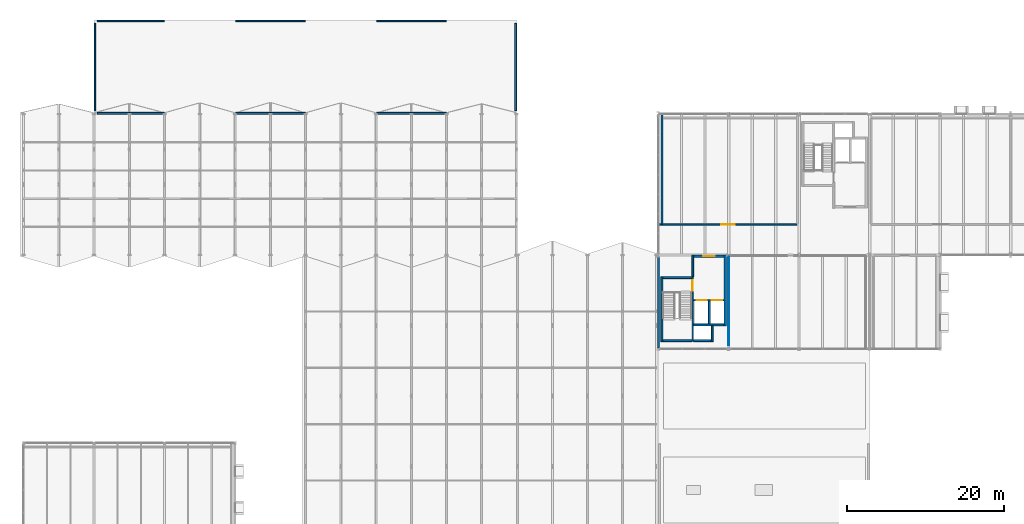
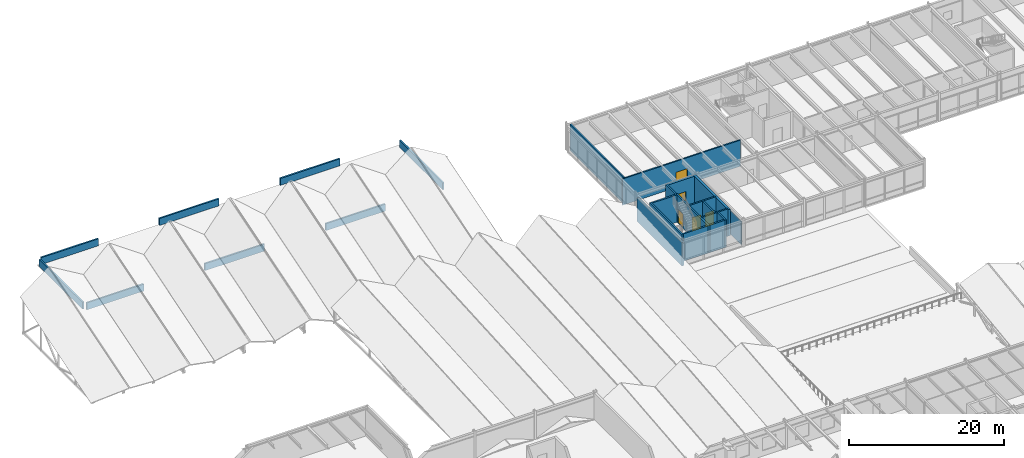
# One storey, part 135 of 142: 24 walls, 5 doors, 5 openings.
"""IFC4 building model written with IfcOpenShell, lengths in metres."""

from ifc_helpers import new_model, si_unit, direction, frame, frame_2d, origin, place, context, subcontext, project, spatial, rectangle, extrude, material, layer, layer_set, type_object, element, fill, save


model = new_model("IFC4")

# Units and contexts
model_context = context("Model", 3, precision=1e-05, world=origin(), true_north=direction((0.0, 1.0)))
body_context = subcontext(model_context, "Body", "Model", "MODEL_VIEW")
ifc_project = project(units=[si_unit("LENGTHUNIT", "METRE"), si_unit("AREAUNIT", "SQUARE_METRE"), si_unit("VOLUMEUNIT", "CUBIC_METRE"), si_unit("PLANEANGLEUNIT", "RADIAN"), si_unit("MASSUNIT", "GRAM", prefix="KILO")], contexts=[model_context])

# Site, building, storey
site_placement = place(None, origin())
site = spatial("IfcSite", under=ifc_project, at=site_placement, CompositionType="ELEMENT")
building_placement = place(site_placement, origin())
building = spatial("IfcBuilding", under=site, at=building_placement, Name="Montelvaro Courts of Justice", CompositionType="ELEMENT")
storey_placement = place(building_placement, frame((0.0, 0.0, 14.39990234375)))
storey = spatial("IfcBuildingStorey", under=building, at=storey_placement, Name="L03", CompositionType="ELEMENT", Elevation=14.39990234375)

# Wall, opening, door
ifc_material_1 = material(Name="Concrete C40/50", Category="concrete")
ifc_layer_1 = layer(ifc_material_1, 0.320068359375)
ifc_layer_set_1 = layer_set([ifc_layer_1], Name="Concrete C40/50")
wall_type_1 = type_object("IfcWallType", Name="CoreWall_320", PredefinedType="SHEAR", material=ifc_layer_set_1)
wall_1_placement = place(storey_placement, frame((103.5400390625, 77.840087890625, 0.0), z_axis=(0.0, 0.0, 1.0), x_axis=(1.0, 0.0, 0.0)))
wall_1 = element("IfcWall", 1, at=wall_1_placement, inside=storey, type_object=wall_type_1, Name="Core Shear Wall CW-02 K4-N (L03)", PredefinedType="SHEAR", context=body_context, shape_type="SweptSolid", body=[
    extrude(rectangle(XDim=3.89990234375, YDim=0.320068359375, at=frame_2d((1.949951171875, 0.0))), origin(), (0.0, 0.0, 1.0), 4.16015625),
])
opening_1_placement = place(wall_1_placement, frame((1.22509765625, 0.0, 0.0)))
opening_1 = element("IfcOpeningElement", 2, at=opening_1_placement, cuts=wall_1, Name="Opening DL-L03-K4", PredefinedType="OPENING", context=body_context, shape_type="SweptSolid", body=[
    extrude(rectangle(XDim=1.449951171875, YDim=2.199951171875, at=frame_2d((0.72509765625, 1.10009765625))), frame((0.0, 0.1748046875, 0.0), z_axis=(0.0, -1.0, 0.0), x_axis=(1.0, 0.0, 0.0)), (0.0, 0.0, 1.0), 0.349853515625),
])
ifc_material_2 = material(Name="Galvanised steel S355 security door", Category="steel")
door_type_1 = type_object("IfcDoorType", Name="LobbyFireDoor_145x220", OperationType="DOUBLE_DOOR_SINGLE_SWING", PredefinedType="DOOR", material=ifc_material_2)
door_1_placement = place(opening_1_placement, origin())
door_1 = element("IfcDoor", 3, at=door_1_placement, inside=storey, type_object=door_type_1, Name="Core Lobby Fire Door DL-L03-K4", OperationType="DOUBLE_DOOR_SINGLE_SWING", OverallHeight=2.199951171875, OverallWidth=1.449951171875, PredefinedType="DOOR", context=body_context, shape_type="SweptSolid", body=[
    extrude(rectangle(XDim=1.449951171875, YDim=2.199951171875, at=frame_2d((0.72509765625, 1.10009765625))), frame((0.0, 0.02490234375, 0.0), z_axis=(0.0, -1.0, 0.0), x_axis=(1.0, 0.0, 0.0)), (0.0, 0.0, 1.0), 0.050048828125),
])
fill(opening_1, door_1)

# Wall
wall_2_placement = place(storey_placement, frame((107.60009765625, 68.9599609375, 0.0), z_axis=(0.0, 0.0, 1.0), x_axis=(0.0, 1.0, 0.0)))
element("IfcWall", 4, at=wall_2_placement, inside=storey, type_object=wall_type_1, Name="Core Shear Wall CW-02 K4-E (L03)", PredefinedType="SHEAR", context=body_context, shape_type="SweptSolid", body=[
    extrude(rectangle(XDim=9.0400390625, YDim=0.320068359375, at=frame_2d((4.52001953125, 0.0))), origin(), (0.0, 0.0, 1.0), 4.16015625),
])

# Wall, opening, door
ifc_material_3 = material(Name="Gypsum acoustic double stud with mineral wool")
ifc_layer_2 = layer(ifc_material_3, 0.199951171875)
ifc_layer_set_2 = layer_set([ifc_layer_2], Name="Gypsum acoustic double stud with mineral wool")
wall_type_2 = type_object("IfcWallType", Name="CourtAcousticWall_200", PredefinedType="PARTITIONING", material=ifc_layer_set_2)
wall_3_placement = place(storey_placement, frame((116.719970703125, 81.89990234375, 0.0), z_axis=(0.0, 0.0, 1.0), x_axis=(-1.0, 0.0, 0.0)))
wall_3 = element("IfcWall", 5, at=wall_3_placement, inside=storey, type_object=wall_type_2, Name="Interior Partition IW-01 (L03)", PredefinedType="PARTITIONING", context=body_context, shape_type="SweptSolid", body=[
    extrude(rectangle(XDim=17.594970703125, YDim=0.199951171875, at=frame_2d((8.79736328125, 0.0))), origin(), (0.0, 0.0, 1.0), 4.14013671875),
])
opening_2_placement = place(wall_3_placement, frame((7.947021484375, 0.0, 0.0)))
opening_2 = element("IfcOpeningElement", 6, at=opening_2_placement, cuts=wall_3, Name="Opening D-L03-109", PredefinedType="OPENING", context=body_context, shape_type="SweptSolid", body=[
    extrude(rectangle(XDim=1.699951171875, YDim=2.39990234375, at=frame_2d((0.85009765625, 1.199951171875))), frame((0.0, 0.11474609375, 0.0), z_axis=(0.0, -1.0, 0.0), x_axis=(1.0, 0.0, 0.0)), (0.0, 0.0, 1.0), 0.229736328125),
])
ifc_material_4 = material(Name="Acoustic oak timber veneer", Category="wood")
door_type_2 = type_object("IfcDoorType", Name="CourtDoor_170x240", OperationType="DOUBLE_DOOR_SINGLE_SWING", PredefinedType="DOOR", material=ifc_material_4)
door_2_placement = place(opening_2_placement, frame((1.699951171875, 0.0, 0.0), z_axis=(0.0, 0.0, 1.0), x_axis=(-1.0, 0.0, 0.0)))
door_2 = element("IfcDoor", 7, at=door_2_placement, inside=storey, type_object=door_type_2, Name="Interior Door D-L03-109 (Family Courtroom 12)", OperationType="DOUBLE_DOOR_SINGLE_SWING", OverallHeight=2.39990234375, OverallWidth=1.699951171875, PredefinedType="DOOR", context=body_context, shape_type="SweptSolid", body=[
    extrude(rectangle(XDim=1.699951171875, YDim=2.39990234375, at=frame_2d((0.85009765625, 1.199951171875))), frame((0.0, 0.02490234375, 0.0), z_axis=(0.0, -1.0, 0.0), x_axis=(1.0, 0.0, 0.0)), (0.0, 0.0, 1.0), 0.050048828125),
])
fill(opening_2, door_2)

# Walls
wall_4_placement = place(storey_placement, frame((99.5, 81.97998046875, 0.0), z_axis=(0.0, 0.0, 1.0), x_axis=(0.0, 1.0, 0.0)))
element("IfcWall", 8, at=wall_4_placement, inside=storey, type_object=wall_type_2, Name="Interior Partition IW-01 (L03)", PredefinedType="PARTITIONING", context=body_context, shape_type="SweptSolid", body=[
    extrude(rectangle(XDim=13.945068359375, YDim=0.199951171875, at=frame_2d((6.97265625, 0.0))), origin(), (0.0, 0.0, 1.0), 4.14013671875),
])
ifc_material_5 = material(Name="White mineral precast concrete C45/55", Category="concrete")
ifc_layer_3 = layer(ifc_material_5, 0.300048828125)
ifc_layer_set_3 = layer_set([ifc_layer_3], Name="White mineral precast concrete C45/55")
wall_type_3 = type_object("IfcWallType", Name="ExtWall_GFRC_300", PredefinedType="SOLIDWALL", material=ifc_layer_set_3)
wall_5_placement = place(storey_placement, frame((99.050048828125, 77.72705078125, 0.0), z_axis=(0.0, 0.0, 1.0), x_axis=(0.0, -1.0, 0.0)))
element("IfcWall", 9, at=wall_5_placement, inside=storey, type_object=wall_type_3, Name="Exterior Facade Wall EW-02 (L03)", PredefinedType="SOLIDWALL", context=body_context, shape_type="SweptSolid", body=[
    extrude(rectangle(XDim=11.59912109375, YDim=0.300048828125, at=frame_2d((5.799560546875, 0.0))), origin(), (0.0, 0.0, 1.0), 3.705078125),
])
ifc_material_6 = material(Name="Gypsum board on metal stud")
ifc_layer_4 = layer(ifc_material_6, 0.1201171875)
ifc_layer_set_4 = layer_set([ifc_layer_4], Name="Gypsum board on metal stud")
wall_type_4 = type_object("IfcWallType", Name="OfficePartition_120", PredefinedType="PARTITIONING", material=ifc_layer_set_4)
wall_6_placement = place(storey_placement, frame((108.0, 66.47998046875, 0.0), z_axis=(0.0, 0.0, 1.0), x_axis=(0.0, 1.0, 0.0)))
element("IfcWall", 10, at=wall_6_placement, inside=storey, type_object=wall_type_4, Name="Interior Partition IW-05 (L03)", PredefinedType="PARTITIONING", context=body_context, shape_type="SweptSolid", body=[
    extrude(rectangle(XDim=11.340087890625, YDim=0.1201171875, at=frame_2d((5.669921875, 0.0))), origin(), (0.0, 0.0, 1.0), 3.64501953125),
])
ifc_layer_5 = layer(ifc_material_5, 0.239990234375)
ifc_layer_set_5 = layer_set([ifc_layer_5], Name="White mineral precast concrete C45/55")
wall_type_5 = type_object("IfcWallType", Name="ParapetWall_240", PredefinedType="PARAPET", material=ifc_layer_set_5)
wall_7_placement = place(storey_placement, frame((27.419921875, 107.8798828125, 0.0), z_axis=(0.0, 0.0, 1.0), x_axis=(1.0, 0.0, 0.0)))
element("IfcWall", 11, at=wall_7_placement, inside=storey, type_object=wall_type_5, Name="Roof Parapet PW-01 L03-028", PredefinedType="PARAPET", context=body_context, shape_type="SweptSolid", body=[
    extrude(rectangle(XDim=8.52001953125, YDim=0.239990234375, at=frame_2d((4.260009765625, 0.0))), origin(), (0.0, 0.0, 1.0), 1.10009765625),
])
for number, where, z_axis, x_axis, name in (
    (12, (45.06005859375, 107.8798828125, 0.0), (0.0, 0.0, 1.0), (1.0, 0.0, 0.0), "Roof Parapet PW-01 L03-029"),
    (13, (63.06005859375, 107.8798828125, 0.0), (0.0, 0.0, 1.0), (1.0, 0.0, 0.0), "Roof Parapet PW-01 L03-030"),
):
    element("IfcWall", number, at=place(storey_placement, frame(where, z_axis=z_axis, x_axis=x_axis)), inside=storey, type_object=wall_type_5, Name=name, PredefinedType="PARAPET", context=body_context, shape_type="SweptSolid", body=[
        extrude(rectangle(XDim=8.8798828125, YDim=0.239990234375, at=frame_2d((4.43994140625, 0.0))), origin(), (0.0, 0.0, 1.0), 1.10009765625),
    ])
wall_8_placement = place(storey_placement, frame((27.1201171875, 96.419921875, 0.0), z_axis=(0.0, 0.0, 1.0), x_axis=(0.0, 1.0, 0.0)))
element("IfcWall", 14, at=wall_8_placement, inside=storey, type_object=wall_type_5, Name="Roof Parapet PW-01 L03-031", PredefinedType="PARAPET", context=body_context, shape_type="SweptSolid", body=[
    extrude(rectangle(XDim=11.16015625, YDim=0.239990234375, at=frame_2d((5.580078125, 0.0))), origin(), (0.0, 0.0, 1.0), 1.10009765625),
])
wall_9_placement = place(storey_placement, frame((27.419921875, 96.1201171875, 0.0), z_axis=(0.0, 0.0, 1.0), x_axis=(1.0, 0.0, 0.0)))
element("IfcWall", 15, at=wall_9_placement, inside=storey, type_object=wall_type_5, Name="Roof Parapet PW-01 L03-032", PredefinedType="PARAPET", context=body_context, shape_type="SweptSolid", body=[
    extrude(rectangle(XDim=8.52001953125, YDim=0.239990234375, at=frame_2d((4.260009765625, 0.0))), origin(), (0.0, 0.0, 1.0), 1.10009765625),
])
for number, where, z_axis, x_axis, name in (
    (16, (45.06005859375, 96.1201171875, 0.0), (0.0, 0.0, 1.0), (1.0, 0.0, 0.0), "Roof Parapet PW-01 L03-033"),
    (17, (63.06005859375, 96.1201171875, 0.0), (0.0, 0.0, 1.0), (1.0, 0.0, 0.0), "Roof Parapet PW-01 L03-034"),
):
    element("IfcWall", number, at=place(storey_placement, frame(where, z_axis=z_axis, x_axis=x_axis)), inside=storey, type_object=wall_type_5, Name=name, PredefinedType="PARAPET", context=body_context, shape_type="SweptSolid", body=[
        extrude(rectangle(XDim=8.8798828125, YDim=0.239990234375, at=frame_2d((4.43994140625, 0.0))), origin(), (0.0, 0.0, 1.0), 1.10009765625),
    ])
wall_10_placement = place(storey_placement, frame((80.830078125, 96.419921875, 0.0), z_axis=(0.0, 0.0, 1.0), x_axis=(0.0, 1.0, 0.0)))
element("IfcWall", 18, at=wall_10_placement, inside=storey, type_object=wall_type_5, Name="Roof Parapet PW-01 L03-035", PredefinedType="PARAPET", context=body_context, shape_type="SweptSolid", body=[
    extrude(rectangle(XDim=11.16015625, YDim=0.239990234375, at=frame_2d((5.580078125, 0.0))), origin(), (0.0, 0.0, 1.0), 1.10009765625),
])
ifc_material_7 = material(Name="Concrete C35/45", Category="concrete")
ifc_layer_6 = layer(ifc_material_7, 0.239990234375)
ifc_layer_set_6 = layer_set([ifc_layer_6], Name="Concrete C35/45")
wall_type_6 = type_object("IfcWallType", Name="ShaftWall_240", PredefinedType="SHEAR", material=ifc_layer_set_6)
wall_11_placement = place(storey_placement, frame((99.47998046875, 66.9599609375, 0.0), z_axis=(0.0, 0.0, 1.0), x_axis=(0.0, 1.0, 0.0)))
element("IfcWall", 19, at=wall_11_placement, inside=storey, type_object=wall_type_6, Name="Protected Stair Structural Wall ST-K4-W (L03)", PredefinedType="SHEAR", context=body_context, shape_type="SweptSolid", body=[
    extrude(rectangle(XDim=8.280029296875, YDim=0.239990234375, at=frame_2d((4.14013671875, 0.0))), origin(), (0.0, 0.0, 1.0), 4.31005859375),
])

# Wall, opening, door
wall_12_placement = place(storey_placement, frame((103.419921875, 66.9599609375, 0.0), z_axis=(0.0, 0.0, 1.0), x_axis=(0.0, 1.0, 0.0)))
wall_12 = element("IfcWall", 20, at=wall_12_placement, inside=storey, type_object=wall_type_6, Name="Protected Stair Structural Wall ST-K4-E (L03)", PredefinedType="SHEAR", context=body_context, shape_type="SweptSolid", body=[
    extrude(rectangle(XDim=8.280029296875, YDim=0.239990234375, at=frame_2d((4.14013671875, 0.0))), origin(), (0.0, 0.0, 1.0), 4.31005859375),
])
opening_3_placement = place(wall_12_placement, frame((6.489990234375, 0.0, 0.0)))
opening_3 = element("IfcOpeningElement", 21, at=opening_3_placement, cuts=wall_12, Name="Opening DS-L03-K4", PredefinedType="OPENING", context=body_context, shape_type="SweptSolid", body=[
    extrude(rectangle(XDim=1.300048828125, YDim=2.199951171875, at=frame_2d((0.64990234375, 1.10009765625))), frame((0.0, 0.134765625, 0.0), z_axis=(0.0, -1.0, 0.0), x_axis=(1.0, 0.0, 0.0)), (0.0, 0.0, 1.0), 0.269775390625),
])
door_type_3 = type_object("IfcDoorType", Name="StairFireDoor_130x220", OperationType="NOTDEFINED", PredefinedType="DOOR", material=ifc_material_2)
door_3_placement = place(opening_3_placement, frame((1.300048828125, 0.0, 0.0), z_axis=(0.0, 0.0, 1.0), x_axis=(-1.0, 0.0, 0.0)))
door_3 = element("IfcDoor", 22, at=door_3_placement, inside=storey, type_object=door_type_3, Name="Protected Stair Fire Door DS-L03-K4", OperationType="SINGLE_SWING_RIGHT", OverallHeight=2.199951171875, OverallWidth=1.300048828125, PredefinedType="DOOR", context=body_context, shape_type="SweptSolid", body=[
    extrude(rectangle(XDim=1.300048828125, YDim=2.199951171875, at=frame_2d((0.64990234375, 1.10009765625))), frame((0.0, 0.02490234375, 0.0), z_axis=(0.0, -1.0, 0.0), x_axis=(1.0, 0.0, 0.0)), (0.0, 0.0, 1.0), 0.050048828125),
])
fill(opening_3, door_3)

# Walls
for number, where, z_axis, x_axis, name in (
    (23, (99.60009765625, 67.080078125, 0.0), (0.0, 0.0, 1.0), (1.0, 0.0, 0.0), "Protected Stair Structural Wall ST-K4-S (L03)"),
    (24, (99.60009765625, 75.1201171875, 0.0), (0.0, 0.0, 1.0), (1.0, 0.0, 0.0), "Protected Stair Structural Wall ST-K4-N (L03)"),
):
    element("IfcWall", number, at=place(storey_placement, frame(where, z_axis=z_axis, x_axis=x_axis)), inside=storey, type_object=wall_type_6, Name=name, PredefinedType="SHEAR", context=body_context, shape_type="SweptSolid", body=[
        extrude(rectangle(XDim=3.699951171875, YDim=0.239990234375, at=frame_2d((1.85009765625, 0.0))), origin(), (0.0, 0.0, 1.0), 4.31005859375),
    ])
wall_13_placement = place(storey_placement, frame((103.419921875, 75.239990234375, 0.0), z_axis=(0.0, 0.0, 1.0), x_axis=(0.0, 1.0, 0.0)))
element("IfcWall", 25, at=wall_13_placement, inside=storey, type_object=wall_type_6, Name="Core Lobby Structural Wall K4-W (L03)", PredefinedType="SHEAR", context=body_context, shape_type="SweptSolid", body=[
    extrude(rectangle(XDim=2.760009765625, YDim=0.239990234375, at=frame_2d((1.3798828125, 0.0))), origin(), (0.0, 0.0, 1.0), 4.16015625),
])

# Wall, openings, doors
wall_14_placement = place(storey_placement, frame((103.5400390625, 72.219970703125, 0.0), z_axis=(0.0, 0.0, 1.0), x_axis=(1.0, 0.0, 0.0)))
wall_14 = element("IfcWall", 26, at=wall_14_placement, inside=storey, type_object=wall_type_6, Name="Lift Shaft Bank Wall K4 (L03)", PredefinedType="SHEAR", context=body_context, shape_type="SweptSolid", body=[
    extrude(rectangle(XDim=3.89990234375, YDim=0.239990234375, at=frame_2d((1.949951171875, 0.0))), origin(), (0.0, 0.0, 1.0), 4.31005859375),
])
opening_4_placement = place(wall_14_placement, frame((0.385009765625, 0.0, 0.0)))
opening_4 = element("IfcOpeningElement", 27, at=opening_4_placement, cuts=wall_14, Name="Opening LD-LP-01-L03", PredefinedType="OPENING", context=body_context, shape_type="SweptSolid", body=[
    extrude(rectangle(XDim=1.300048828125, YDim=2.199951171875, at=frame_2d((0.64990234375, 1.10009765625))), frame((0.0, 0.134765625, 0.0), z_axis=(0.0, -1.0, 0.0), x_axis=(1.0, 0.0, 0.0)), (0.0, 0.0, 1.0), 0.269775390625),
])
opening_5_placement = place(wall_14_placement, frame((2.3349609375, 0.0, 0.0)))
opening_5 = element("IfcOpeningElement", 28, at=opening_5_placement, cuts=wall_14, Name="Opening LD-LP-02-L03", PredefinedType="OPENING", context=body_context, shape_type="SweptSolid", body=[
    extrude(rectangle(XDim=1.300048828125, YDim=2.199951171875, at=frame_2d((0.64990234375, 1.10009765625))), frame((0.0, 0.134765625, 0.0), z_axis=(0.0, -1.0, 0.0), x_axis=(1.0, 0.0, 0.0)), (0.0, 0.0, 1.0), 0.269775390625),
])
door_type_4 = type_object("IfcDoorType", Name="LiftDoor_130x220", OperationType="DOUBLE_DOOR_SLIDING", PredefinedType="DOOR", material=ifc_material_2)
door_4_placement = place(opening_4_placement, origin())
door_4 = element("IfcDoor", 29, at=door_4_placement, inside=storey, type_object=door_type_4, Name="Lift Landing Sliding Door LD-LP-01-L03", OperationType="DOUBLE_DOOR_SLIDING", OverallHeight=2.199951171875, OverallWidth=1.300048828125, PredefinedType="DOOR", context=body_context, shape_type="SweptSolid", body=[
    extrude(rectangle(XDim=1.300048828125, YDim=2.199951171875, at=frame_2d((0.64990234375, 1.10009765625))), frame((0.0, 0.02490234375, 0.0), z_axis=(0.0, -1.0, 0.0), x_axis=(1.0, 0.0, 0.0)), (0.0, 0.0, 1.0), 0.050048828125),
])
fill(opening_4, door_4)
door_5_placement = place(opening_5_placement, origin())
door_5 = element("IfcDoor", 30, at=door_5_placement, inside=storey, type_object=door_type_4, Name="Lift Landing Sliding Door LD-LP-02-L03", OperationType="DOUBLE_DOOR_SLIDING", OverallHeight=2.199951171875, OverallWidth=1.300048828125, PredefinedType="DOOR", context=body_context, shape_type="SweptSolid", body=[
    extrude(rectangle(XDim=1.300048828125, YDim=2.199951171875, at=frame_2d((0.64990234375, 1.10009765625))), frame((0.0, 0.02490234375, 0.0), z_axis=(0.0, -1.0, 0.0), x_axis=(1.0, 0.0, 0.0)), (0.0, 0.0, 1.0), 0.050048828125),
])
fill(opening_5, door_5)

# Walls
wall_15_placement = place(storey_placement, frame((103.5400390625, 69.080078125, 0.0), z_axis=(0.0, 0.0, 1.0), x_axis=(1.0, 0.0, 0.0)))
element("IfcWall", 31, at=wall_15_placement, inside=storey, type_object=wall_type_6, Name="Lift Shaft Back Wall K4 (L03)", PredefinedType="SHEAR", context=body_context, shape_type="SweptSolid", body=[
    extrude(rectangle(XDim=3.89990234375, YDim=0.239990234375, at=frame_2d((1.949951171875, 0.0))), origin(), (0.0, 0.0, 1.0), 4.31005859375),
])
wall_16_placement = place(storey_placement, frame((105.550048828125, 69.199951171875, 0.0), z_axis=(0.0, 0.0, 1.0), x_axis=(0.0, 1.0, 0.0)))
element("IfcWall", 32, at=wall_16_placement, inside=storey, type_object=wall_type_6, Name="Lift Shaft Divider Wall K4-LFD1 (L03)", PredefinedType="SHEAR", context=body_context, shape_type="SweptSolid", body=[
    extrude(rectangle(XDim=2.900146484375, YDim=0.239990234375, at=frame_2d((1.4501953125, 0.0))), origin(), (0.0, 0.0, 1.0), 4.31005859375),
])
wall_17_placement = place(storey_placement, frame((105.919921875, 66.9599609375, 0.0), z_axis=(0.0, 0.0, 1.0), x_axis=(0.0, 1.0, 0.0)))
element("IfcWall", 33, at=wall_17_placement, inside=storey, type_object=wall_type_6, Name="Service Riser East Shaft Wall K4 (L03)", PredefinedType="SHEAR", context=body_context, shape_type="SweptSolid", body=[
    extrude(rectangle(XDim=2.0, YDim=0.239990234375, at=frame_2d((1.0, 0.0))), origin(), (0.0, 0.0, 1.0), 4.31005859375),
])
wall_18_placement = place(storey_placement, frame((103.5400390625, 67.080078125, 0.0), z_axis=(0.0, 0.0, 1.0), x_axis=(1.0, 0.0, 0.0)))
element("IfcWall", 34, at=wall_18_placement, inside=storey, type_object=wall_type_6, Name="Service Riser South Shaft Wall K4 (L03)", PredefinedType="SHEAR", context=body_context, shape_type="SweptSolid", body=[
    extrude(rectangle(XDim=2.260009765625, YDim=0.239990234375, at=frame_2d((1.1298828125, 0.0))), origin(), (0.0, 0.0, 1.0), 4.31005859375),
])

save(model, "model.ifc")
